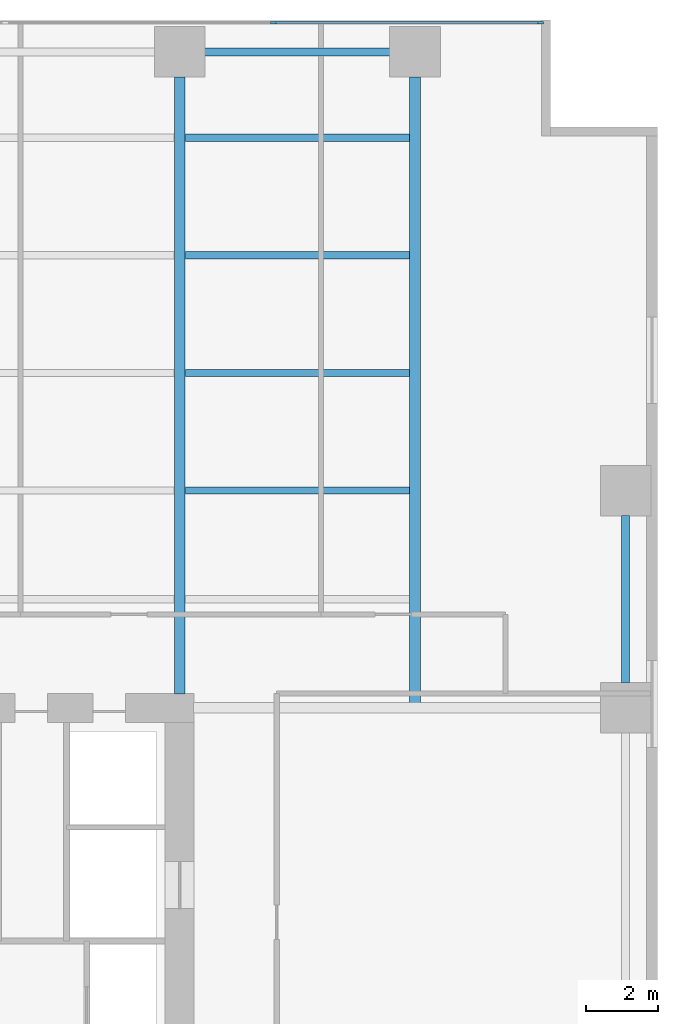
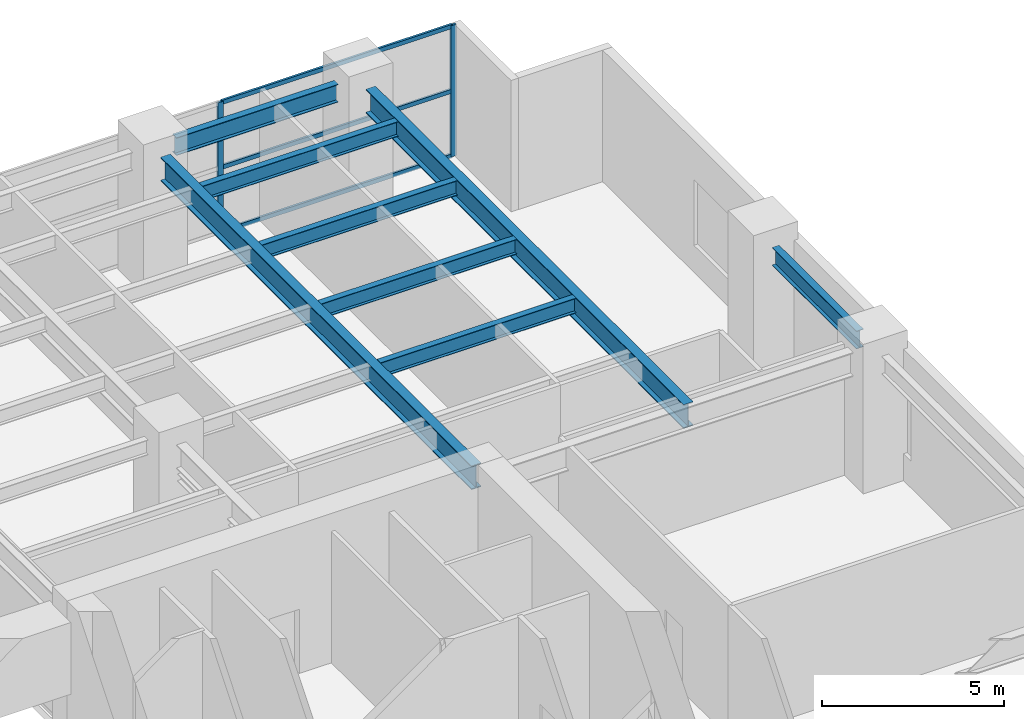
# One storey, part 11 of 23: 8 beams, 5 members, 1 element without a shape of its own.
"""IFC4 building model written with IfcOpenShell, lengths in metres."""

from ifc_helpers import new_model, si_unit, direction, frame, origin, origin_2d, place, context, subcontext, project, spatial, rectangle, i_section, extrude, material, layer, layer_set, material_profile, profile_set, type_object, element, aggregate, save


model = new_model("IFC4")

# Units and contexts
model_context = context("Model", 3, precision=1e-05, world=origin(), true_north=direction((0.0, 1.0)))
body_context = subcontext(model_context, "Body", "Model", "MODEL_VIEW")
ifc_project = project(units=[si_unit("LENGTHUNIT", "METRE"), si_unit("AREAUNIT", "SQUARE_METRE"), si_unit("VOLUMEUNIT", "CUBIC_METRE"), si_unit("PLANEANGLEUNIT", "RADIAN"), si_unit("MASSUNIT", "GRAM", prefix="KILO")], contexts=[model_context])

# Site, building, storey
site_placement = place(None, origin())
site = spatial("IfcSite", under=ifc_project, at=site_placement, CompositionType="ELEMENT")
building_placement = place(site_placement, origin())
building = spatial("IfcBuilding", under=site, at=building_placement, Name="Putna Gate Headquarters", CompositionType="ELEMENT")
storey_placement = place(building_placement, frame((0.0, 0.0, 17.0)))
storey = spatial("IfcBuildingStorey", under=building, at=storey_placement, Name="L03", CompositionType="ELEMENT", Elevation=17.0)

# Beams
ifc_material_1 = material(Name="Steel S355J2", Category="steel")
ifc_material_profile_1 = material_profile(ifc_material_1, i_section(OverallWidth=0.300048828125, OverallDepth=0.800048828125, WebThickness=0.017578125, FlangeThickness=0.032958984375, at=origin_2d()), Name="Steel S355J2")
ifc_profile_set_1 = profile_set([ifc_material_profile_1], Name="Steel S355J2")
beam_type_1 = type_object("IfcBeamType", Name="BM-GIRD-P-HEB800", PredefinedType="USERDEFINED", material=ifc_profile_set_1)
beam_1_placement = place(storey_placement, frame((65.0, 33.385009765625, 4.0), z_axis=(0.0, 1.0, 0.0), x_axis=(-1.0, 0.0, 0.0)))
element("IfcBeam", 1, at=beam_1_placement, inside=storey, type_object=beam_type_1, Name="L03 North Primary Girder X65", ObjectType="GIRDER", PredefinedType="USERDEFINED", context=body_context, shape_type="SweptSolid", body=[
    extrude(i_section(OverallWidth=0.300048828125, OverallDepth=0.800048828125, WebThickness=0.017578125, FlangeThickness=0.032958984375, at=origin_2d()), origin(), (0.0, 0.0, 1.0), 17.046875),
])
beam_2_placement = place(storey_placement, frame((71.5, 33.011962890625, 4.0), z_axis=(0.0, 1.0, 0.0), x_axis=(-1.0, 0.0, 0.0)))
element("IfcBeam", 2, at=beam_2_placement, inside=storey, type_object=beam_type_1, Name="L03 North Primary Girder X71", ObjectType="GIRDER", PredefinedType="USERDEFINED", context=body_context, shape_type="SweptSolid", body=[
    extrude(i_section(OverallWidth=0.300048828125, OverallDepth=0.800048828125, WebThickness=0.017578125, FlangeThickness=0.032958984375, at=origin_2d()), origin(), (0.0, 0.0, 1.0), 17.419921875),
])
ifc_material_profile_2 = material_profile(ifc_material_1, i_section(OverallWidth=0.199951171875, OverallDepth=0.5, WebThickness=0.01025390625, FlangeThickness=0.01611328125, at=origin_2d()), Name="Steel S355J2")
ifc_profile_set_2 = profile_set([ifc_material_profile_2], Name="Steel S355J2")
beam_type_2 = type_object("IfcBeamType", Name="BM-SEC-P-IPE500", PredefinedType="BEAM", material=ifc_profile_set_2)
for number, where, z_axis, x_axis, name in (
    (3, (65.154052734375, 39.0, 4.14990234375), (1.0, 0.0, 0.0), (0.0, 1.0, 0.0), "L03 North Secondary Beam 7"),
    (4, (65.154052734375, 42.25, 4.14990234375), (1.0, 0.0, 0.0), (0.0, 1.0, 0.0), "L03 North Secondary Beam 7"),
    (5, (65.154052734375, 45.5, 4.14990234375), (1.0, 0.0, 0.0), (0.0, 1.0, 0.0), "L03 North Secondary Beam 7"),
    (6, (65.154052734375, 48.75, 4.14990234375), (1.0, 0.0, 0.0), (0.0, 1.0, 0.0), "L03 North Secondary Beam 7"),
):
    element("IfcBeam", number, at=place(storey_placement, frame(where, z_axis=z_axis, x_axis=x_axis)), inside=storey, type_object=beam_type_2, Name=name, PredefinedType="BEAM", context=body_context, shape_type="SweptSolid", body=[
        extrude(i_section(OverallWidth=0.199951171875, OverallDepth=0.5, WebThickness=0.01025390625, FlangeThickness=0.01611328125, at=origin_2d()), origin(), (0.0, 0.0, 1.0), 6.19189453125),
    ])
ifc_material_profile_3 = material_profile(ifc_material_1, i_section(OverallWidth=0.219970703125, OverallDepth=0.60009765625, WebThickness=0.011962890625, FlangeThickness=0.01904296875, at=origin_2d()), Name="Steel S355J2")
ifc_profile_set_3 = profile_set([ifc_material_profile_3], Name="Steel S355J2")
beam_type_3 = type_object("IfcBeamType", Name="BM-SPAN-P-IPE600", PredefinedType="SPANDREL", material=ifc_profile_set_3)
beam_3_placement = place(storey_placement, frame((65.68798828125, 51.1201171875, 4.10009765625), z_axis=(1.0, 0.0, 0.0), x_axis=(0.0, 1.0, 0.0)))
element("IfcBeam", 7, at=beam_3_placement, inside=storey, type_object=beam_type_3, Name="L03 N Perimeter Spandrel 7", PredefinedType="SPANDREL", context=body_context, shape_type="SweptSolid", body=[
    extrude(i_section(OverallWidth=0.219970703125, OverallDepth=0.60009765625, WebThickness=0.011962890625, FlangeThickness=0.01904296875, at=origin_2d()), origin(), (0.0, 0.0, 1.0), 5.1240234375),
])
beam_4_placement = place(storey_placement, frame((77.320068359375, 33.68798828125, 4.10009765625), z_axis=(0.0, 1.0, 0.0), x_axis=(-1.0, 0.0, 0.0)))
element("IfcBeam", 8, at=beam_4_placement, inside=storey, type_object=beam_type_3, Name="L03 E End Spandrel 3", PredefinedType="SPANDREL", context=body_context, shape_type="SweptSolid", body=[
    extrude(i_section(OverallWidth=0.219970703125, OverallDepth=0.60009765625, WebThickness=0.011962890625, FlangeThickness=0.01904296875, at=origin_2d()), origin(), (0.0, 0.0, 1.0), 4.6240234375),
])

# Curtain wall, members
ifc_material_2 = material(Name="Anodised bronze aluminium curtain wall", Category="aluminium")
ifc_layer = layer(ifc_material_2, 0.179931640625)
ifc_layer_set = layer_set([ifc_layer], Name="Anodised bronze aluminium curtain wall")
curtain_wall_type = type_object("IfcCurtainWallType", Name="CW-SYS-POD", PredefinedType="USERDEFINED", material=ifc_layer_set)
curtain_wall_placement = place(storey_placement, origin())
curtain_wall = element("IfcCurtainWall", 9, at=curtain_wall_placement, inside=storey, type_object=curtain_wall_type, Name="L03 North East Curtain Wall", ObjectType="STICK CURTAIN WALL", PredefinedType="USERDEFINED")
ifc_material_3 = material(Name="Anodised bronze aluminium EN AW-6060", Category="aluminium")
ifc_material_profile_4 = material_profile(ifc_material_3, rectangle(XDim=0.070068359375, YDim=0.179931640625, at=origin_2d()), Name="Anodised bronze aluminium EN AW-6060")
ifc_profile_set_4 = profile_set([ifc_material_profile_4], Name="Anodised bronze aluminium EN AW-6060")
member_type_1 = type_object("IfcMemberType", Name="MULL-CWM-P", PredefinedType="MULLION", material=ifc_profile_set_4)
member_1_placement = place(storey_placement, frame((67.59326171875, 51.919921875, 0.0), z_axis=(0.0, 0.0, 1.0), x_axis=(0.0, 1.0, 0.0)))
member_1 = element("IfcMember", 10, at=member_1_placement, type_object=member_type_1, Name="CWS-P mullion 3", PredefinedType="MULLION", context=body_context, shape_type="SweptSolid", body=[
    extrude(rectangle(XDim=0.070068359375, YDim=0.179931640625, at=origin_2d()), origin(), (0.0, 0.0, 1.0), 4.39990234375),
])
member_2_placement = place(storey_placement, frame((74.965087890625, 51.919921875, 0.0), z_axis=(0.0, 0.0, 1.0), x_axis=(0.0, 1.0, 0.0)))
member_2 = element("IfcMember", 11, at=member_2_placement, type_object=member_type_1, Name="CWS-P mullion 4", PredefinedType="MULLION", context=body_context, shape_type="SweptSolid", body=[
    extrude(rectangle(XDim=0.070068359375, YDim=0.179931640625, at=origin_2d()), origin(), (0.0, 0.0, 1.0), 4.39990234375),
])
ifc_material_profile_5 = material_profile(ifc_material_3, rectangle(XDim=0.070068359375, YDim=0.139892578125, at=origin_2d()), Name="Anodised bronze aluminium EN AW-6060")
ifc_profile_set_5 = profile_set([ifc_material_profile_5], Name="Anodised bronze aluminium EN AW-6060")
member_type_2 = type_object("IfcMemberType", Name="TRAN-CWT-P", PredefinedType="USERDEFINED", material=ifc_profile_set_5)
member_3_placement = place(storey_placement, frame((67.62841796875, 51.919921875, 0.034912109375), z_axis=(1.0, 0.0, 0.0), x_axis=(0.0, 1.0, 0.0)))
member_3 = element("IfcMember", 12, at=member_3_placement, type_object=member_type_2, Name="CWS-P transom 3.1", ObjectType="TRANSOM", PredefinedType="USERDEFINED", context=body_context, shape_type="SweptSolid", body=[
    extrude(rectangle(XDim=0.070068359375, YDim=0.139892578125, at=origin_2d()), origin(), (0.0, 0.0, 1.0), 7.301513671875),
])
member_4_placement = place(storey_placement, frame((67.62841796875, 51.919921875, 2.199951171875), z_axis=(1.0, 0.0, 0.0), x_axis=(0.0, 1.0, 0.0)))
member_4 = element("IfcMember", 13, at=member_4_placement, type_object=member_type_2, Name="CWS-P transom 3.2", ObjectType="TRANSOM", PredefinedType="USERDEFINED", context=body_context, shape_type="SweptSolid", body=[
    extrude(rectangle(XDim=0.070068359375, YDim=0.139892578125, at=origin_2d()), origin(), (0.0, 0.0, 1.0), 7.301513671875),
])
member_5_placement = place(storey_placement, frame((67.62841796875, 51.919921875, 4.364990234375), z_axis=(1.0, 0.0, 0.0), x_axis=(0.0, 1.0, 0.0)))
member_5 = element("IfcMember", 14, at=member_5_placement, type_object=member_type_2, Name="CWS-P transom 3.3", ObjectType="TRANSOM", PredefinedType="USERDEFINED", context=body_context, shape_type="SweptSolid", body=[
    extrude(rectangle(XDim=0.070068359375, YDim=0.139892578125, at=origin_2d()), origin(), (0.0, 0.0, 1.0), 7.301513671875),
])
aggregate(curtain_wall, [member_1, member_2, member_3, member_4, member_5])

save(model, "model.ifc")
